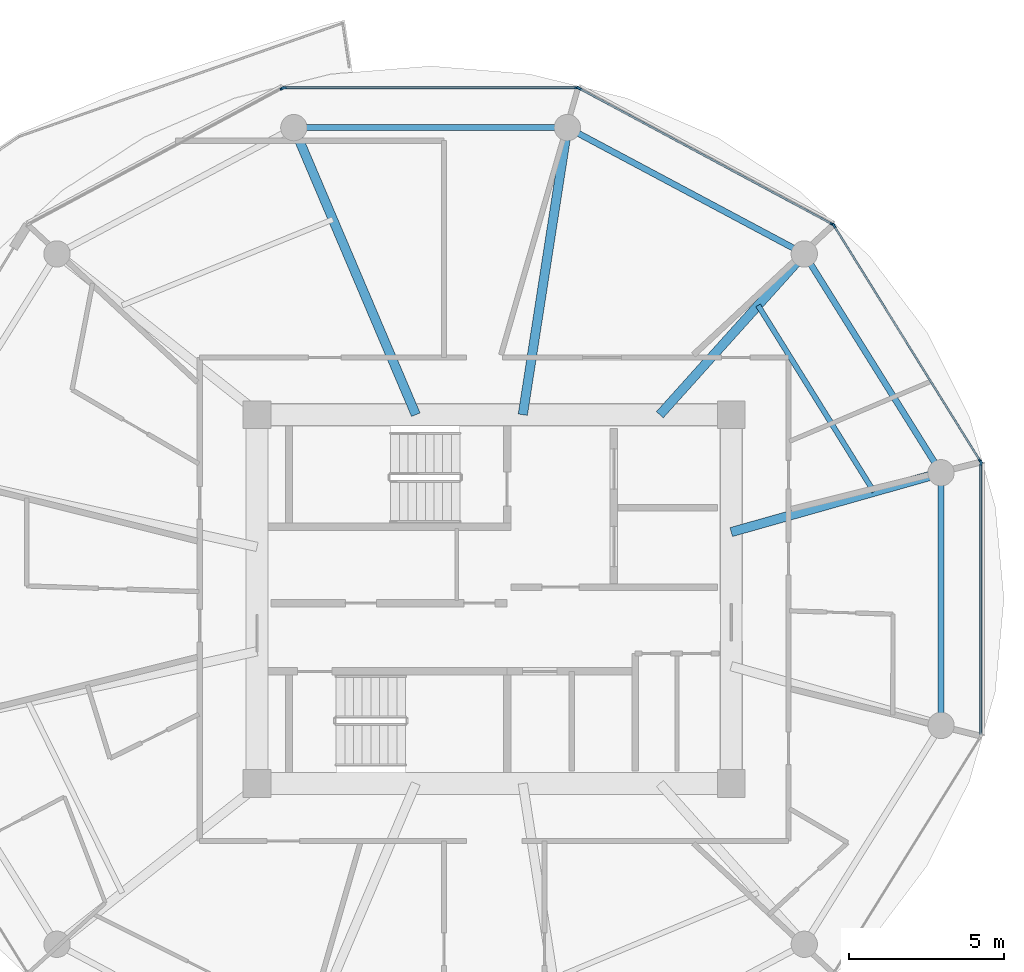
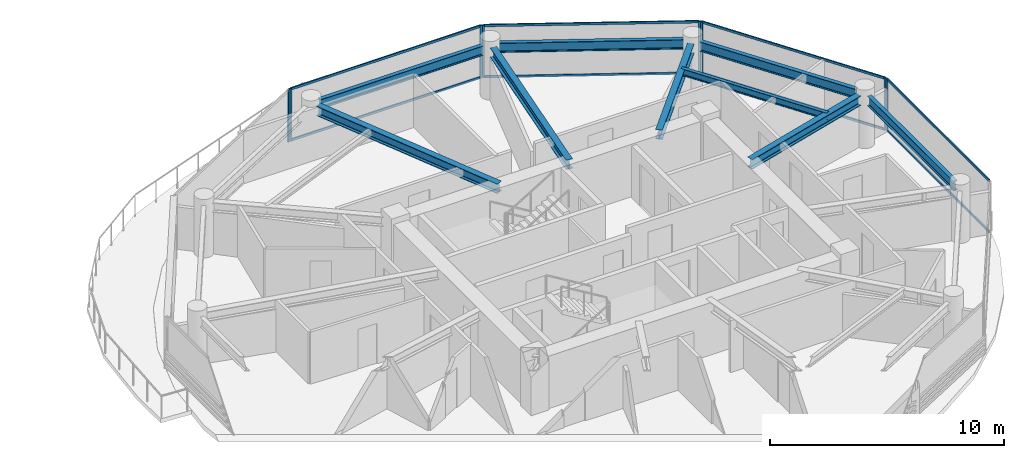
# One storey, part 11 of 22: 16 members, 9 beams, 5 elements without a shape of their own.
"""IFC4 building model written with IfcOpenShell, lengths in metres."""

from ifc_helpers import new_model, si_unit, direction, frame, origin, origin_2d, place, context, subcontext, project, spatial, rectangle, i_section, extrude, source, transform, mapped, material, layer, layer_set, material_profile, profile_set, type_object, type_shapes, element, aggregate, save


model = new_model("IFC4")

# Units and contexts
model_context = context("Model", 3, precision=1e-05, world=origin(), true_north=direction((0.0, 1.0)))
body_context = subcontext(model_context, "Body", "Model", "MODEL_VIEW")
ifc_project = project(units=[si_unit("LENGTHUNIT", "METRE"), si_unit("AREAUNIT", "SQUARE_METRE"), si_unit("VOLUMEUNIT", "CUBIC_METRE"), si_unit("PLANEANGLEUNIT", "RADIAN"), si_unit("MASSUNIT", "GRAM", prefix="KILO")], contexts=[model_context])

# Site, building, storey
site_placement = place(None, origin())
site = spatial("IfcSite", under=ifc_project, at=site_placement, CompositionType="ELEMENT")
building_placement = place(site_placement, origin())
building = spatial("IfcBuilding", under=site, at=building_placement, Name="Norrkilde Senior Care Towers", CompositionType="ELEMENT")
storey_placement = place(building_placement, frame((0.0, 0.0, 126.75)))
storey = spatial("IfcBuildingStorey", under=building, at=storey_placement, Name="L39", CompositionType="ELEMENT", Elevation=126.75)

# Beams
ifc_material_1 = material(Name="Steel S355", Category="steel")
ifc_material_profile_1 = material_profile(ifc_material_1, i_section(OverallWidth=0.199951171875, OverallDepth=0.5, WebThickness=0.01025390625, FlangeThickness=0.01611328125, FilletRadius=0.02099609375, at=origin_2d()), Name="IPE 500")
ifc_profile_set_1 = profile_set([ifc_material_profile_1], Name="Steel S355")
beam_type_1 = type_object("IfcBeamType", Name="Perimeter Ring Spandrel Z2 IPE500", PredefinedType="SPANDREL", material=ifc_profile_set_1)
shared_shape_1 = source(origin(), body_context, "Body", "SweptSolid", [
    extrude(i_section(OverallWidth=0.199951171875, OverallDepth=0.5, WebThickness=0.01025390625, FlangeThickness=0.01611328125, FilletRadius=0.02099609375, at=origin_2d()), origin(), (0.0, 0.0, 1.0), 7.892333984375),
])
beam_1_placement = place(storey_placement, frame((37.66650390625, 11.318115234375, 2.47998046875), z_axis=(-0.882350372282, 0.47059305194, 0.0), x_axis=(-0.47059305194, -0.882350372282, 0.0)))
element("IfcBeam", 1, at=beam_1_placement, inside=storey, type_object=beam_type_1, Name="L39 Drum E Perimeter Spandrel 02", PredefinedType="SPANDREL", context=body_context, shape_type="MappedRepresentation", body=[
    mapped(shared_shape_1, transform((0.0, 0.0, 0.0), x_axis=(1.0, 0.0, 0.0), y_axis=(0.0, 1.0, 0.0), z_axis=(0.0, 0.0, 1.0), scale=1.0)),
])
shared_shape_2 = source(origin(), body_context, "Body", "SweptSolid", [
    extrude(i_section(OverallWidth=0.199951171875, OverallDepth=0.5, WebThickness=0.01025390625, FlangeThickness=0.01611328125, FilletRadius=0.02099609375, at=origin_2d()), origin(), (0.0, 0.0, 1.0), 8.0556640625),
])
beam_2_placement = place(storey_placement, frame((29.977783203125, 15.21337890625, 2.47998046875), z_axis=(-1.0, 0.0, 0.0), x_axis=(0.0, -1.0, 0.0)))
element("IfcBeam", 2, at=beam_2_placement, inside=storey, type_object=beam_type_1, Name="L39 Drum E Perimeter Spandrel 03", PredefinedType="SPANDREL", context=body_context, shape_type="MappedRepresentation", body=[
    mapped(shared_shape_2, transform((0.0, 0.0, 0.0), x_axis=(1.0, 0.0, 0.0), y_axis=(0.0, 1.0, 0.0), z_axis=(0.0, 0.0, 1.0), scale=1.0)),
])
ifc_material_profile_2 = material_profile(ifc_material_1, i_section(OverallWidth=0.300048828125, OverallDepth=0.5, WebThickness=0.014404296875, FlangeThickness=0.028076171875, FilletRadius=0.027099609375, at=origin_2d()), Name="HEB 500")
ifc_profile_set_2 = profile_set([ifc_material_profile_2], Name="Steel S355")
beam_type_2 = type_object("IfcBeamType", Name="Radial Floor Beam Z2 HEB500", PredefinedType="BEAM", material=ifc_profile_set_2)
shared_shape_3 = source(origin(), body_context, "Body", "SweptSolid", [
    extrude(i_section(OverallWidth=0.300048828125, OverallDepth=0.5, WebThickness=0.014404296875, FlangeThickness=0.028076171875, FilletRadius=0.027099609375, at=origin_2d()), origin(), (0.0, 0.0, 1.0), 9.679443359375),
])
beam_3_placement = place(storey_placement, frame((25.472412109375, 5.949951171875, 2.47998046875), z_axis=(-0.390998033479, 0.920391513333, 0.0), x_axis=(-0.920391513333, -0.390998033479, 0.0)))
element("IfcBeam", 3, at=beam_3_placement, inside=storey, type_object=beam_type_2, Name="L39 Drum E Radial Floor Beam 04", PredefinedType="BEAM", context=body_context, shape_type="MappedRepresentation", body=[
    mapped(shared_shape_3, transform((0.0, 0.0, 0.0), x_axis=(1.0, 0.0, 0.0), y_axis=(0.0, 1.0, 0.0), z_axis=(0.0, 0.0, 1.0), scale=1.0)),
])
shared_shape_4 = source(origin(), body_context, "Body", "SweptSolid", [
    extrude(i_section(OverallWidth=0.300048828125, OverallDepth=0.5, WebThickness=0.014404296875, FlangeThickness=0.028076171875, FilletRadius=0.027099609375, at=origin_2d()), origin(), (0.0, 0.0, 1.0), 8.989501953125),
])
beam_4_placement = place(storey_placement, frame((28.924072265625, 5.949951171875, 2.47998046875), z_axis=(0.153471298636, 0.988153105796, 0.0), x_axis=(-0.988153105796, 0.153471298636, 0.0)))
element("IfcBeam", 4, at=beam_4_placement, inside=storey, type_object=beam_type_2, Name="L39 Drum E Radial Floor Beam 03", PredefinedType="BEAM", context=body_context, shape_type="MappedRepresentation", body=[
    mapped(shared_shape_4, transform((0.0, 0.0, 0.0), x_axis=(1.0, 0.0, 0.0), y_axis=(0.0, 1.0, 0.0), z_axis=(0.0, 0.0, 1.0), scale=1.0)),
])
shared_shape_5 = source(origin(), body_context, "Body", "SweptSolid", [
    extrude(i_section(OverallWidth=0.199951171875, OverallDepth=0.5, WebThickness=0.01025390625, FlangeThickness=0.01611328125, FilletRadius=0.02099609375, at=origin_2d()), origin(), (0.0, 0.0, 1.0), 7.556396484375),
])
beam_5_placement = place(storey_placement, frame((42.215087890625, 4.40283203125, 2.47998046875), z_axis=(-0.530004748437, 0.847994673706, 0.0), x_axis=(-0.847994673706, -0.530004748437, 0.0)))
element("IfcBeam", 5, at=beam_5_placement, inside=storey, type_object=beam_type_1, Name="L39 Drum E Perimeter Spandrel 01", PredefinedType="SPANDREL", context=body_context, shape_type="MappedRepresentation", body=[
    mapped(shared_shape_5, transform((0.0, 0.0, 0.0), x_axis=(1.0, 0.0, 0.0), y_axis=(0.0, 1.0, 0.0), z_axis=(0.0, 0.0, 1.0), scale=1.0)),
])
shared_shape_6 = source(origin(), body_context, "Body", "SweptSolid", [
    extrude(i_section(OverallWidth=0.300048828125, OverallDepth=0.5, WebThickness=0.014404296875, FlangeThickness=0.028076171875, FilletRadius=0.027099609375, at=origin_2d()), origin(), (0.0, 0.0, 1.0), 6.587890625),
])
beam_6_placement = place(storey_placement, frame((33.345947265625, 5.949951171875, 2.47998046875), z_axis=(0.668315438605, 0.743877997068, 0.0), x_axis=(-0.743877997068, 0.668315438605, 0.0)))
element("IfcBeam", 6, at=beam_6_placement, inside=storey, type_object=beam_type_2, Name="L39 Drum E Radial Floor Beam 02", PredefinedType="BEAM", context=body_context, shape_type="MappedRepresentation", body=[
    mapped(shared_shape_6, transform((0.0, 0.0, 0.0), x_axis=(1.0, 0.0, 0.0), y_axis=(0.0, 1.0, 0.0), z_axis=(0.0, 0.0, 1.0), scale=1.0)),
])
shared_shape_7 = source(origin(), body_context, "Body", "SweptSolid", [
    extrude(i_section(OverallWidth=0.199951171875, OverallDepth=0.5, WebThickness=0.01025390625, FlangeThickness=0.01611328125, FilletRadius=0.02099609375, at=origin_2d()), origin(), (0.0, 0.0, 1.0), 7.3828125),
])
type_shapes(beam_type_1, [shared_shape_1, shared_shape_2, shared_shape_5, shared_shape_7])
beam_7_placement = place(storey_placement, frame((42.4189453125, -3.69140625, 2.47998046875), z_axis=(0.0, 1.0, 0.0), x_axis=(-1.0, 0.0, 0.0)))
element("IfcBeam", 7, at=beam_7_placement, inside=storey, type_object=beam_type_1, Name="L39 Drum E Perimeter Spandrel 12", PredefinedType="SPANDREL", context=body_context, shape_type="MappedRepresentation", body=[
    mapped(shared_shape_7, transform((0.0, 0.0, 0.0), x_axis=(1.0, 0.0, 0.0), y_axis=(0.0, 1.0, 0.0), z_axis=(0.0, 0.0, 1.0), scale=1.0)),
])
shared_shape_8 = source(origin(), body_context, "Body", "SweptSolid", [
    extrude(i_section(OverallWidth=0.300048828125, OverallDepth=0.5, WebThickness=0.014404296875, FlangeThickness=0.028076171875, FilletRadius=0.027099609375, at=origin_2d()), origin(), (0.0, 0.0, 1.0), 6.6494140625),
])
type_shapes(beam_type_2, [shared_shape_3, shared_shape_4, shared_shape_6, shared_shape_8])
beam_8_placement = place(storey_placement, frame((35.64990234375, 2.162841796875, 2.47998046875), z_axis=(0.962289138357, 0.27202870106, 0.0), x_axis=(-0.27202870106, 0.962289138357, 0.0)))
element("IfcBeam", 8, at=beam_8_placement, inside=storey, type_object=beam_type_2, Name="L39 Drum E Radial Floor Beam 01", PredefinedType="BEAM", context=body_context, shape_type="MappedRepresentation", body=[
    mapped(shared_shape_8, transform((0.0, 0.0, 0.0), x_axis=(1.0, 0.0, 0.0), y_axis=(0.0, 1.0, 0.0), z_axis=(0.0, 0.0, 1.0), scale=1.0)),
])
ifc_material_profile_3 = material_profile(ifc_material_1, i_section(OverallWidth=0.169921875, OverallDepth=0.360107421875, WebThickness=0.008056640625, FlangeThickness=0.0126953125, FilletRadius=0.01806640625, at=origin_2d()), Name="IPE 360")
ifc_profile_set_3 = profile_set([ifc_material_profile_3], Name="Steel S355")
beam_type_3 = type_object("IfcBeamType", Name="Secondary Floor Joist IPE360", PredefinedType="JOIST", material=ifc_profile_set_3)
shared_shape_9 = source(origin(), body_context, "Body", "SweptSolid", [
    extrude(i_section(OverallWidth=0.169921875, OverallDepth=0.360107421875, WebThickness=0.008056640625, FlangeThickness=0.0126953125, FilletRadius=0.01806640625, at=origin_2d()), origin(), (0.0, 0.0, 1.0), 7.080078125),
])
type_shapes(beam_type_3, [shared_shape_9])
beam_9_placement = place(storey_placement, frame((40.2529296875, 3.464111328125, 2.550048828125), z_axis=(-0.527961009189, 0.849268610497, 0.0), x_axis=(-0.849268610497, -0.527961009189, 0.0)))
element("IfcBeam", 9, at=beam_9_placement, inside=storey, type_object=beam_type_3, Name="L39 Drum E Secondary Floor Joist 1", PredefinedType="JOIST", context=body_context, shape_type="MappedRepresentation", body=[
    mapped(shared_shape_9, transform((0.0, 0.0, 0.0), x_axis=(1.0, 0.0, 0.0), y_axis=(0.0, 1.0, 0.0), z_axis=(0.0, 0.0, 1.0), scale=1.0)),
])

# Curtain wall, members
ifc_material_2 = material(Name="Triple Low-E Insulated Glazing", Category="glass")
ifc_layer = layer(ifc_material_2, 0.195068359375)
ifc_layer_set = layer_set([ifc_layer], Name="Triple Low-E Insulated Glazing")
curtain_wall_type = type_object("IfcCurtainWallType", Name="CW3 Zone 2 Assisted Living Curtain Wall", PredefinedType="NOTDEFINED", material=ifc_layer_set)
curtain_wall_1_placement = place(storey_placement, origin())
curtain_wall_1 = element("IfcCurtainWall", 10, at=curtain_wall_1_placement, inside=storey, type_object=curtain_wall_type, Name="L39 Drum E Curtain Wall 00", PredefinedType="NOTDEFINED")
ifc_material_3 = material(Name="Anodised Aluminium", Category="aluminium")
ifc_material_profile_4 = material_profile(ifc_material_3, rectangle(XDim=0.06494140625, YDim=0.159912109375, at=origin_2d()), Name="ALU MULL 65x160")
ifc_profile_set_4 = profile_set([ifc_material_profile_4], Name="Anodised Aluminium")
member_type_1 = type_object("IfcMemberType", Name="Curtain Wall Mullion Z1-Z2 65x160", PredefinedType="MULLION", material=ifc_profile_set_4)
shared_shape_10 = source(origin(), body_context, "Body", "SweptSolid", [
    extrude(rectangle(XDim=0.06494140625, YDim=0.159912109375, at=origin_2d()), origin(), (0.0, 0.0, 1.0), 2.72998046875),
])
type_shapes(member_type_1, [shared_shape_10])
member_1_placement = place(storey_placement, frame((38.9638671875, 12.0498046875, 0.0), z_axis=(0.0, 0.0, 1.0), x_axis=(0.849410171862, 0.527733228002, 0.0)))
member_1 = element("IfcMember", 11, at=member_1_placement, type_object=member_type_1, Name="CW-3 mullion 1", PredefinedType="MULLION", context=body_context, shape_type="MappedRepresentation", body=[
    mapped(shared_shape_10, transform((0.0, 0.0, 0.0), x_axis=(1.0, 0.0, 0.0), y_axis=(0.0, 1.0, 0.0), z_axis=(0.0, 0.0, 1.0), scale=1.0)),
])
member_2_placement = place(storey_placement, frame((43.6865234375, 4.4482421875, 0.0), z_axis=(0.0, 0.0, 1.0), x_axis=(0.849410171862, 0.527733228002, 0.0)))
member_2 = element("IfcMember", 12, at=member_2_placement, type_object=member_type_1, Name="CW-3 mullion 2", PredefinedType="MULLION", context=body_context, shape_type="MappedRepresentation", body=[
    mapped(shared_shape_10, transform((0.0, 0.0, 0.0), x_axis=(1.0, 0.0, 0.0), y_axis=(0.0, 1.0, 0.0), z_axis=(0.0, 0.0, 1.0), scale=1.0)),
])

curtain_wall_2_placement = place(storey_placement, origin())
curtain_wall_2 = element("IfcCurtainWall", 13, at=curtain_wall_2_placement, inside=storey, type_object=curtain_wall_type, Name="L39 Drum E Curtain Wall 01", PredefinedType="NOTDEFINED")
member_3_placement = place(storey_placement, frame((30.73583984375, 16.482666015625, 0.0), z_axis=(0.0, 0.0, 1.0), x_axis=(0.472769402511, 0.881186184668, 0.0)))
member_3 = element("IfcMember", 14, at=member_3_placement, type_object=member_type_1, Name="CW-3 mullion 1", PredefinedType="MULLION", context=body_context, shape_type="MappedRepresentation", body=[
    mapped(shared_shape_10, transform((0.0, 0.0, 0.0), x_axis=(1.0, 0.0, 0.0), y_axis=(0.0, 1.0, 0.0), z_axis=(0.0, 0.0, 1.0), scale=1.0)),
])
member_4_placement = place(storey_placement, frame((38.91796875, 12.0927734375, 0.0), z_axis=(0.0, 0.0, 1.0), x_axis=(0.472769402511, 0.881186184668, 0.0)))
member_4 = element("IfcMember", 15, at=member_4_placement, type_object=member_type_1, Name="CW-3 mullion 2", PredefinedType="MULLION", context=body_context, shape_type="MappedRepresentation", body=[
    mapped(shared_shape_10, transform((0.0, 0.0, 0.0), x_axis=(1.0, 0.0, 0.0), y_axis=(0.0, 1.0, 0.0), z_axis=(0.0, 0.0, 1.0), scale=1.0)),
])

curtain_wall_3_placement = place(storey_placement, origin())
curtain_wall_3 = element("IfcCurtainWall", 16, at=curtain_wall_3_placement, inside=storey, type_object=curtain_wall_type, Name="L39 Drum E Curtain Wall 02", PredefinedType="NOTDEFINED")
member_5_placement = place(storey_placement, frame((21.225341796875, 16.498046875, 0.0), z_axis=(0.0, 0.0, 1.0), x_axis=(0.0, 1.0, 0.0)))
member_5 = element("IfcMember", 17, at=member_5_placement, type_object=member_type_1, Name="CW-3 mullion 1", PredefinedType="MULLION", context=body_context, shape_type="MappedRepresentation", body=[
    mapped(shared_shape_10, transform((0.0, 0.0, 0.0), x_axis=(1.0, 0.0, 0.0), y_axis=(0.0, 1.0, 0.0), z_axis=(0.0, 0.0, 1.0), scale=1.0)),
])
member_6_placement = place(storey_placement, frame((30.674560546875, 16.498046875, 0.0), z_axis=(0.0, 0.0, 1.0), x_axis=(0.0, 1.0, 0.0)))
member_6 = element("IfcMember", 18, at=member_6_placement, type_object=member_type_1, Name="CW-3 mullion 2", PredefinedType="MULLION", context=body_context, shape_type="MappedRepresentation", body=[
    mapped(shared_shape_10, transform((0.0, 0.0, 0.0), x_axis=(1.0, 0.0, 0.0), y_axis=(0.0, 1.0, 0.0), z_axis=(0.0, 0.0, 1.0), scale=1.0)),
])

# Curtain wall, member
curtain_wall_4_placement = place(storey_placement, origin())
curtain_wall_4 = element("IfcCurtainWall", 19, at=curtain_wall_4_placement, inside=storey, type_object=curtain_wall_type, Name="L39 Drum E Curtain Wall 03", PredefinedType="NOTDEFINED")
member_7_placement = place(storey_placement, frame((21.164306640625, 16.482666015625, 0.0), z_axis=(0.0, 0.0, 1.0), x_axis=(-0.472769402511, 0.881186184668, 0.0)))
member_7 = element("IfcMember", 20, at=member_7_placement, type_object=member_type_1, Name="CW-3 mullion 2", PredefinedType="MULLION", context=body_context, shape_type="MappedRepresentation", body=[
    mapped(shared_shape_10, transform((0.0, 0.0, 0.0), x_axis=(1.0, 0.0, 0.0), y_axis=(0.0, 1.0, 0.0), z_axis=(0.0, 0.0, 1.0), scale=1.0)),
])
aggregate(curtain_wall_4, [member_7])

curtain_wall_5_placement = place(storey_placement, origin())
curtain_wall_5 = element("IfcCurtainWall", 21, at=curtain_wall_5_placement, inside=storey, type_object=curtain_wall_type, Name="L39 Drum E Curtain Wall 11", PredefinedType="NOTDEFINED")
member_8_placement = place(storey_placement, frame((43.70361328125, 4.38818359375, 0.0), z_axis=(0.0, 0.0, 1.0), x_axis=(1.0, 0.0, 0.0)))
member_8 = element("IfcMember", 22, at=member_8_placement, type_object=member_type_1, Name="CW-3 mullion 1", PredefinedType="MULLION", context=body_context, shape_type="MappedRepresentation", body=[
    mapped(shared_shape_10, transform((0.0, 0.0, 0.0), x_axis=(1.0, 0.0, 0.0), y_axis=(0.0, 1.0, 0.0), z_axis=(0.0, 0.0, 1.0), scale=1.0)),
])

# Member
ifc_material_profile_5 = material_profile(ifc_material_3, rectangle(XDim=0.06005859375, YDim=0.1201171875, at=origin_2d()), Name="ALU TRAN 60x120")
ifc_profile_set_5 = profile_set([ifc_material_profile_5], Name="Anodised Aluminium")
member_type_2 = type_object("IfcMemberType", Name="Curtain Wall Transom Typical 60x120", PredefinedType="USERDEFINED", material=ifc_profile_set_5)
shared_shape_11 = source(origin(), body_context, "Body", "SweptSolid", [
    extrude(rectangle(XDim=0.06005859375, YDim=0.1201171875, at=origin_2d()), origin(), (0.0, 0.0, 1.0), 8.88427734375),
])
member_9_placement = place(storey_placement, frame((38.98095703125, 12.022216796875, 0.030029296875), z_axis=(0.527729466743, -0.849412508697, 0.0), x_axis=(0.849412508697, 0.527729466743, 0.0)))
member_9 = element("IfcMember", 23, at=member_9_placement, type_object=member_type_2, Name="CW-3 transom 1.1", ObjectType="TRANSOM", PredefinedType="USERDEFINED", context=body_context, shape_type="MappedRepresentation", body=[
    mapped(shared_shape_11, transform((0.0, 0.0, 0.0), x_axis=(1.0, 0.0, 0.0), y_axis=(0.0, 1.0, 0.0), z_axis=(0.0, 0.0, 1.0), scale=1.0)),
])

member_10_placement = place(storey_placement, frame((38.98095703125, 12.022216796875, 2.699951171875), z_axis=(0.527729466743, -0.849412508697, 0.0), x_axis=(0.849412508697, 0.527729466743, 0.0)))
member_10 = element("IfcMember", 24, at=member_10_placement, type_object=member_type_2, Name="CW-3 transom 1.2", ObjectType="TRANSOM", PredefinedType="USERDEFINED", context=body_context, shape_type="MappedRepresentation", body=[
    mapped(shared_shape_11, transform((0.0, 0.0, 0.0), x_axis=(1.0, 0.0, 0.0), y_axis=(0.0, 1.0, 0.0), z_axis=(0.0, 0.0, 1.0), scale=1.0)),
])

aggregate(curtain_wall_1, [member_1, member_2, member_9, member_10])

shared_shape_12 = source(origin(), body_context, "Body", "SweptSolid", [
    extrude(rectangle(XDim=0.06005859375, YDim=0.1201171875, at=origin_2d()), origin(), (0.0, 0.0, 1.0), 9.220458984375),
])
member_11_placement = place(storey_placement, frame((30.764404296875, 16.46728515625, 0.030029296875), z_axis=(0.881188517866, -0.472765053681, 0.0), x_axis=(0.472765053681, 0.881188517866, 0.0)))
member_11 = element("IfcMember", 25, at=member_11_placement, type_object=member_type_2, Name="CW-3 transom 1.1", ObjectType="TRANSOM", PredefinedType="USERDEFINED", context=body_context, shape_type="MappedRepresentation", body=[
    mapped(shared_shape_12, transform((0.0, 0.0, 0.0), x_axis=(1.0, 0.0, 0.0), y_axis=(0.0, 1.0, 0.0), z_axis=(0.0, 0.0, 1.0), scale=1.0)),
])

member_12_placement = place(storey_placement, frame((30.764404296875, 16.46728515625, 2.699951171875), z_axis=(0.881188517866, -0.472765053681, 0.0), x_axis=(0.472765053681, 0.881188517866, 0.0)))
member_12 = element("IfcMember", 26, at=member_12_placement, type_object=member_type_2, Name="CW-3 transom 1.2", ObjectType="TRANSOM", PredefinedType="USERDEFINED", context=body_context, shape_type="MappedRepresentation", body=[
    mapped(shared_shape_12, transform((0.0, 0.0, 0.0), x_axis=(1.0, 0.0, 0.0), y_axis=(0.0, 1.0, 0.0), z_axis=(0.0, 0.0, 1.0), scale=1.0)),
])

aggregate(curtain_wall_2, [member_3, member_4, member_11, member_12])

shared_shape_13 = source(origin(), body_context, "Body", "SweptSolid", [
    extrude(rectangle(XDim=0.06005859375, YDim=0.1201171875, at=origin_2d()), origin(), (0.0, 0.0, 1.0), 9.38427734375),
])
member_13_placement = place(storey_placement, frame((21.2578125, 16.498046875, 0.030029296875), z_axis=(1.0, 0.0, 0.0), x_axis=(0.0, 1.0, 0.0)))
member_13 = element("IfcMember", 27, at=member_13_placement, type_object=member_type_2, Name="CW-3 transom 1.1", ObjectType="TRANSOM", PredefinedType="USERDEFINED", context=body_context, shape_type="MappedRepresentation", body=[
    mapped(shared_shape_13, transform((0.0, 0.0, 0.0), x_axis=(1.0, 0.0, 0.0), y_axis=(0.0, 1.0, 0.0), z_axis=(0.0, 0.0, 1.0), scale=1.0)),
])

member_14_placement = place(storey_placement, frame((21.2578125, 16.498046875, 2.699951171875), z_axis=(1.0, 0.0, 0.0), x_axis=(0.0, 1.0, 0.0)))
member_14 = element("IfcMember", 28, at=member_14_placement, type_object=member_type_2, Name="CW-3 transom 1.2", ObjectType="TRANSOM", PredefinedType="USERDEFINED", context=body_context, shape_type="MappedRepresentation", body=[
    mapped(shared_shape_13, transform((0.0, 0.0, 0.0), x_axis=(1.0, 0.0, 0.0), y_axis=(0.0, 1.0, 0.0), z_axis=(0.0, 0.0, 1.0), scale=1.0)),
])

aggregate(curtain_wall_3, [member_5, member_6, member_13, member_14])

shared_shape_14 = source(origin(), body_context, "Body", "SweptSolid", [
    extrude(rectangle(XDim=0.06005859375, YDim=0.1201171875, at=origin_2d()), origin(), (0.0, 0.0, 1.0), 8.71142578125),
])
type_shapes(member_type_2, [shared_shape_11, shared_shape_12, shared_shape_13, shared_shape_14])
member_15_placement = place(storey_placement, frame((43.70361328125, 4.355712890625, 0.030029296875), z_axis=(0.0, -1.0, 0.0), x_axis=(1.0, 0.0, 0.0)))
member_15 = element("IfcMember", 29, at=member_15_placement, type_object=member_type_2, Name="CW-3 transom 1.1", ObjectType="TRANSOM", PredefinedType="USERDEFINED", context=body_context, shape_type="MappedRepresentation", body=[
    mapped(shared_shape_14, transform((0.0, 0.0, 0.0), x_axis=(1.0, 0.0, 0.0), y_axis=(0.0, 1.0, 0.0), z_axis=(0.0, 0.0, 1.0), scale=1.0)),
])

member_16_placement = place(storey_placement, frame((43.70361328125, 4.355712890625, 2.699951171875), z_axis=(0.0, -1.0, 0.0), x_axis=(1.0, 0.0, 0.0)))
member_16 = element("IfcMember", 30, at=member_16_placement, type_object=member_type_2, Name="CW-3 transom 1.2", ObjectType="TRANSOM", PredefinedType="USERDEFINED", context=body_context, shape_type="MappedRepresentation", body=[
    mapped(shared_shape_14, transform((0.0, 0.0, 0.0), x_axis=(1.0, 0.0, 0.0), y_axis=(0.0, 1.0, 0.0), z_axis=(0.0, 0.0, 1.0), scale=1.0)),
])

aggregate(curtain_wall_5, [member_8, member_15, member_16])

save(model, "model.ifc")
